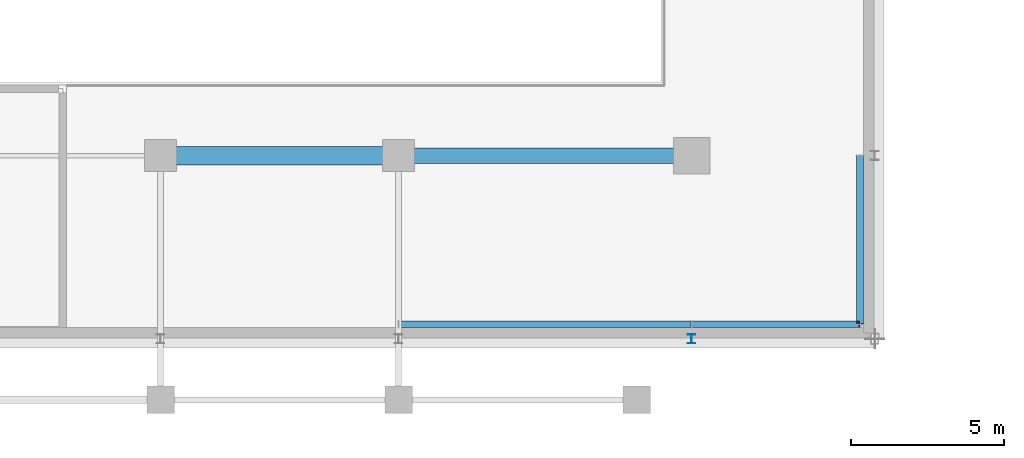
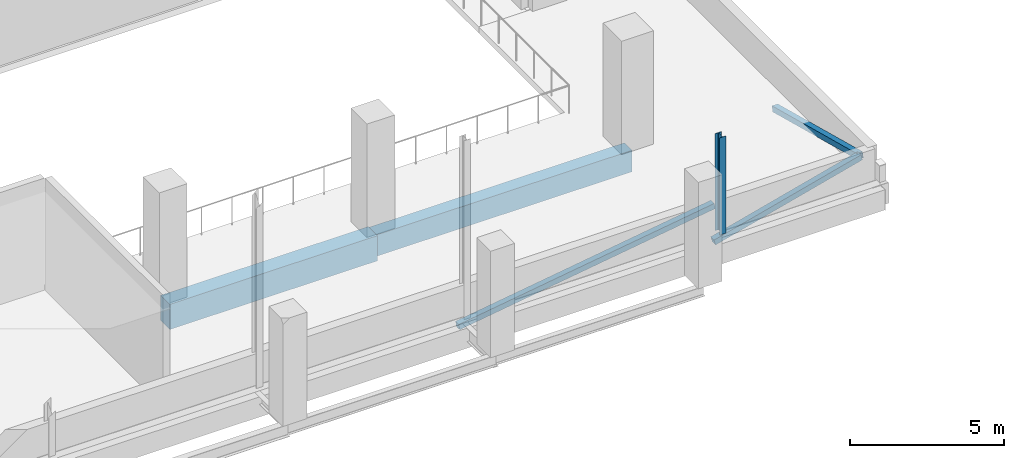
# One storey, part 34 of 85: 4 members, 2 beams.
"""IFC4 building model written with IfcOpenShell, lengths in metres."""

from ifc_helpers import new_model, si_unit, derived_unit, direction, frame, origin, origin_2d, place, context, subcontext, project, spatial, rectangle, hollow_rectangle, i_section, extrude, material, material_profile, profile_set, type_object, element, save


model = new_model("IFC4")

# Units and contexts
model_context = context("Model", 3, precision=1e-05, world=origin(), true_north=direction((0.0, 1.0)))
body_context = subcontext(model_context, "Body", "Model", "MODEL_VIEW")
ifc_project = project(units=[si_unit("LENGTHUNIT", "METRE"), si_unit("AREAUNIT", "SQUARE_METRE"), si_unit("VOLUMEUNIT", "CUBIC_METRE"), si_unit("PLANEANGLEUNIT", "RADIAN"), si_unit("MASSUNIT", "GRAM", prefix="KILO"), derived_unit("THERMALTRANSMITTANCEUNIT", [(si_unit("POWERUNIT", "WATT"), 1), (si_unit("LENGTHUNIT", "METRE"), -2), (si_unit("THERMODYNAMICTEMPERATUREUNIT", "KELVIN"), -1)])], contexts=[model_context])

# Site, building, storey
site_placement = place(None, origin())
site = spatial("IfcSite", under=ifc_project, at=site_placement, CompositionType="ELEMENT")
building_placement = place(site_placement, origin())
building = spatial("IfcBuilding", under=site, at=building_placement, Name="Nallur Shell Playhouse", CompositionType="ELEMENT")
storey_placement = place(building_placement, frame((0.0, 0.0, 19.800048828125)))
storey = spatial("IfcBuildingStorey", under=building, at=storey_placement, Name="L05", CompositionType="ELEMENT", Elevation=19.800048828125)

# Beams
ifc_material_1 = material(Name="Concrete M40", Category="concrete")
ifc_material_profile_1 = material_profile(ifc_material_1, rectangle(XDim=0.5, YDim=0.85009765625, at=origin_2d()), Name="RC 500x850")
ifc_profile_set_1 = profile_set([ifc_material_profile_1], Name="Concrete M40")
beam_type_1 = type_object("IfcBeamType", Name="BM-RC-500x850", PredefinedType="BEAM", material=ifc_profile_set_1)
beam_1_placement = place(storey_placement, frame((103.0, 16.0, -0.675048828125), z_axis=(1.0, 0.0, 0.0), x_axis=(0.0, 1.0, 0.0)))
element("IfcBeam", 1, at=beam_1_placement, inside=storey, type_object=beam_type_1, Name="L05 girder X-B-941", PredefinedType="BEAM", context=body_context, shape_type="SweptSolid", body=[
    extrude(rectangle(XDim=0.5, YDim=0.85009765625, at=origin_2d()), origin(), (0.0, 0.0, 1.0), 9.60009765625),
])
ifc_material_profile_2 = material_profile(ifc_material_1, rectangle(XDim=0.60009765625, YDim=1.0, at=origin_2d()), Name="RC 600x1000")
ifc_profile_set_2 = profile_set([ifc_material_profile_2], Name="Concrete M40")
beam_type_2 = type_object("IfcBeamType", Name="BM-RC-600x1000", PredefinedType="BEAM", material=ifc_profile_set_2)
beam_2_placement = place(storey_placement, frame((95.199951171875, 16.0, -0.75), z_axis=(1.0, 0.0, 0.0), x_axis=(0.0, 1.0, 0.0)))
element("IfcBeam", 2, at=beam_2_placement, inside=storey, type_object=beam_type_2, Name="L05 girder X-B-940", PredefinedType="BEAM", context=body_context, shape_type="SweptSolid", body=[
    extrude(rectangle(XDim=0.60009765625, YDim=1.0, at=origin_2d()), origin(), (0.0, 0.0, 1.0), 7.800048828125),
])

# Members
ifc_material_2 = material(Name="Steel E350", Category="steel")
ifc_material_profile_3 = material_profile(ifc_material_2, i_section(OverallWidth=0.25, OverallDepth=0.300048828125, WebThickness=0.009521484375, FlangeThickness=0.010498046875, FilletRadius=0.010986328125, at=origin_2d()), Name="ISHB 300")
ifc_profile_set_3 = profile_set([ifc_material_profile_3], Name="Steel E350")
member_type_1 = type_object("IfcMemberType", Name="MB-FASCIA-POST", PredefinedType="POST", material=ifc_profile_set_3)
member_1_placement = place(storey_placement, frame((112.60009765625, 10.0, 0.0), z_axis=(0.0, 0.0, 1.0), x_axis=(1.0, 0.0, 0.0)))
element("IfcMember", 3, at=member_1_placement, inside=storey, type_object=member_type_1, Name="Cantilever truss fascia post POST-GB-L05-07", PredefinedType="POST", context=body_context, shape_type="SweptSolid", body=[
    extrude(i_section(OverallWidth=0.25, OverallDepth=0.300048828125, WebThickness=0.009521484375, FlangeThickness=0.010498046875, FilletRadius=0.010986328125, at=origin_2d()), origin(), (0.0, 0.0, 1.0), 3.85595703125),
])
ifc_material_profile_4 = material_profile(ifc_material_2, hollow_rectangle(XDim=0.219970703125, YDim=0.219970703125, WallThickness=0.011962890625, at=origin_2d()), Name="SHS 220x220x12")
ifc_profile_set_4 = profile_set([ifc_material_profile_4], Name="Steel E350")
member_type_2 = type_object("IfcMemberType", Name="MB-FT-BRACE2", PredefinedType="BRACE", material=ifc_profile_set_4)
for number, where, z_axis, x_axis, name in (
    (4, (118.1201171875, 16.0, -0.650146484375), (0.0, -0.967179733798, 0.254093216221), (1.0, 0.0, 0.0), "Gold box fascia brace L05-3"),
    (5, (112.60009765625, 10.47998046875, -0.650146484375), (0.967179733798, 0.0, 0.254093216221), (0.0, 1.0, 0.0), "Gold box fascia brace L05-7"),
):
    element("IfcMember", number, at=place(storey_placement, frame(where, z_axis=z_axis, x_axis=x_axis)), inside=storey, type_object=member_type_2, Name=name, PredefinedType="BRACE", context=body_context, shape_type="SweptSolid", body=[
        extrude(hollow_rectangle(XDim=0.219970703125, YDim=0.219970703125, WallThickness=0.011962890625, at=origin_2d()), origin(), (0.0, 0.0, 1.0), 5.707275390625),
    ])
member_2_placement = place(storey_placement, frame((103.0, 10.47998046875, -0.650146484375), z_axis=(0.988781995438, 0.0, 0.149365877954), x_axis=(0.0, 1.0, 0.0)))
element("IfcMember", 6, at=member_2_placement, inside=storey, type_object=member_type_2, Name="Gold box fascia brace L05-8", PredefinedType="BRACE", context=body_context, shape_type="SweptSolid", body=[
    extrude(hollow_rectangle(XDim=0.219970703125, YDim=0.219970703125, WallThickness=0.011962890625, at=origin_2d()), origin(), (0.0, 0.0, 1.0), 9.708984375),
])

save(model, "model.ifc")
